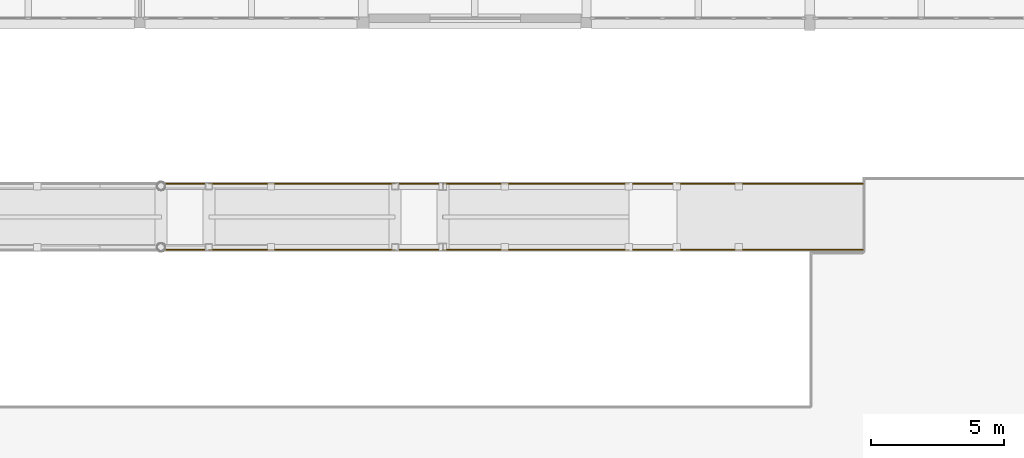
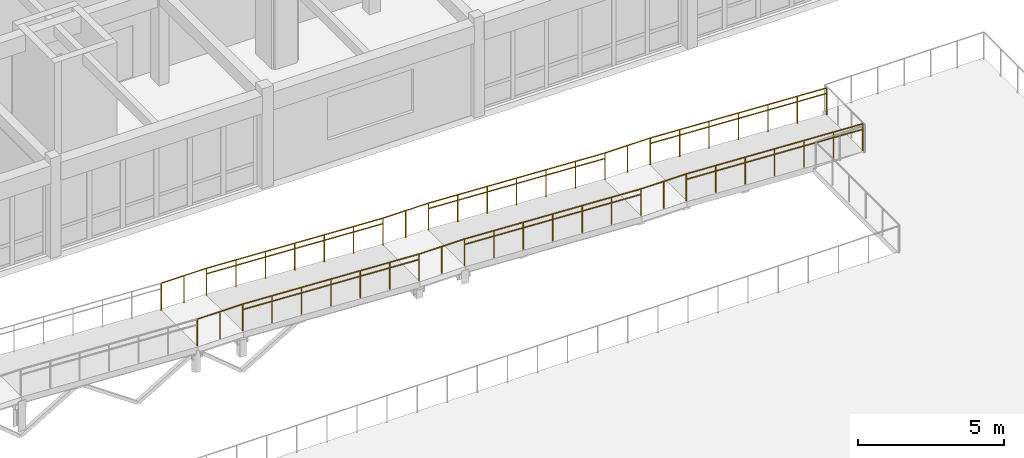
# One storey, part 88 of 89: 18 railings.
"""IFC4 building model written with IfcOpenShell, lengths in metres."""

from ifc_helpers import new_model, si_unit, direction, frame, origin, origin_2d, place, context, subcontext, project, spatial, circle, extrude, material, layer, layer_set, type_object, element, save


model = new_model("IFC4")

# Units and contexts
model_context = context("Model", 3, precision=1e-05, world=origin(), true_north=direction((0.0, 1.0)))
body_context = subcontext(model_context, "Body", "Model", "MODEL_VIEW")
ifc_project = project(units=[si_unit("LENGTHUNIT", "METRE"), si_unit("AREAUNIT", "SQUARE_METRE"), si_unit("VOLUMEUNIT", "CUBIC_METRE"), si_unit("PLANEANGLEUNIT", "RADIAN"), si_unit("MASSUNIT", "GRAM", prefix="KILO")], contexts=[model_context])

# Site, building, storey
site_placement = place(None, origin())
site = spatial("IfcSite", under=ifc_project, at=site_placement, CompositionType="ELEMENT")
building_placement = place(site_placement, origin())
building = spatial("IfcBuilding", under=site, at=building_placement, Name="Malvenik Polytechnic", CompositionType="ELEMENT")
storey_placement = place(building_placement, frame((0.0, 0.0, 13.5)))
storey = spatial("IfcBuildingStorey", under=building, at=storey_placement, Name="L03", CompositionType="ELEMENT", Elevation=13.5)

# Railings
ifc_material_1 = material(Name="Galvanised powder-coated steel and laminated glass guard 1150mm", Category="steel")
ifc_layer_1 = layer(ifc_material_1, 0.070068359375)
ifc_layer_set_1 = layer_set([ifc_layer_1], Name="Galvanised powder-coated steel and laminated glass guard 1150mm")
railing_type_1 = type_object("IfcRailingType", Name="ARC-RL-BAL-1150", PredefinedType="BALUSTRADE", material=ifc_layer_set_1)
for number, where, name in (
    (1, (121.0, 70.659912109375, 0.35009765625), "Ramp Balustrade RB-02 #1S"),
    (2, (121.0, 73.139892578125, 0.35009765625), "Ramp Balustrade RB-02 #1N"),
):
    element("IfcRailing", number, at=place(storey_placement, frame(where)), inside=storey, type_object=railing_type_1, Name=name, PredefinedType="BALUSTRADE", context=body_context, shape_type="SweptSolid", body=[
        extrude(circle(Radius=0.02392578125, at=origin_2d()), frame((0.0, 0.0, 1.1259765625), z_axis=(0.998751643845, 0.0, -0.049951515669), x_axis=(0.0, 1.0, 0.0)), (0.0, 0.0, 1.0), 7.0087890625),
        extrude(circle(Radius=0.02099609375, at=origin_2d()), origin(), (0.0, 0.0, 1.0), 1.101806640625),
        extrude(circle(Radius=0.02099609375, at=origin_2d()), frame((1.166748046875, 0.0, -0.058349609375)), (0.0, 0.0, 1.0), 1.101806640625),
        extrude(circle(Radius=0.02099609375, at=origin_2d()), frame((2.333251953125, 0.0, -0.11669921875)), (0.0, 0.0, 1.0), 1.101806640625),
        extrude(circle(Radius=0.02099609375, at=origin_2d()), frame((3.5, 0.0, -0.175048828125)), (0.0, 0.0, 1.0), 1.101806640625),
        extrude(circle(Radius=0.02099609375, at=origin_2d()), frame((4.666748046875, 0.0, -0.2333984375)), (0.0, 0.0, 1.0), 1.101806640625),
        extrude(circle(Radius=0.02099609375, at=origin_2d()), frame((5.833251953125, 0.0, -0.291748046875)), (0.0, 0.0, 1.0), 1.101806640625),
        extrude(circle(Radius=0.02099609375, at=origin_2d()), frame((7.0, 0.0, -0.35009765625)), (0.0, 0.0, 1.0), 1.101806640625),
    ])
for number, where, name in (
    (3, (119.199951171875, 70.659912109375, 0.35009765625), "Ramp Landing Balustrade RB-02 #1S"),
    (4, (119.199951171875, 73.139892578125, 0.35009765625), "Ramp Landing Balustrade RB-02 #1N"),
):
    element("IfcRailing", number, at=place(storey_placement, frame(where)), inside=storey, type_object=railing_type_1, Name=name, PredefinedType="BALUSTRADE", context=body_context, shape_type="SweptSolid", body=[
        extrude(circle(Radius=0.02392578125, at=origin_2d()), frame((0.0, 0.0, 1.1259765625), z_axis=(1.0, 0.0, 0.0), x_axis=(0.0, 1.0, 0.0)), (0.0, 0.0, 1.0), 1.800048828125),
        extrude(circle(Radius=0.02099609375, at=origin_2d()), origin(), (0.0, 0.0, 1.0), 1.101806640625),
        extrude(circle(Radius=0.02099609375, at=origin_2d()), frame((0.89990234375, 0.0, 0.0)), (0.0, 0.0, 1.0), 1.101806640625),
        extrude(circle(Radius=0.02099609375, at=origin_2d()), frame((1.800048828125, 0.0, 0.0)), (0.0, 0.0, 1.0), 1.101806640625),
    ])
for number, where, name in (
    (5, (112.199951171875, 70.659912109375, 0.699951171875), "Ramp Balustrade RB-02 #2S"),
    (6, (112.199951171875, 73.139892578125, 0.699951171875), "Ramp Balustrade RB-02 #2N"),
):
    element("IfcRailing", number, at=place(storey_placement, frame(where)), inside=storey, type_object=railing_type_1, Name=name, PredefinedType="BALUSTRADE", context=body_context, shape_type="SweptSolid", body=[
        extrude(circle(Radius=0.02392578125, at=origin_2d()), frame((0.0, 0.0, 1.1259765625), z_axis=(0.998753381067, 0.0, -0.049916768801), x_axis=(0.0, 1.0, 0.0)), (0.0, 0.0, 1.0), 7.0087890625),
        extrude(circle(Radius=0.02099609375, at=origin_2d()), origin(), (0.0, 0.0, 1.0), 1.101806640625),
        extrude(circle(Radius=0.02099609375, at=origin_2d()), frame((1.166748046875, 0.0, -0.058349609375)), (0.0, 0.0, 1.0), 1.101806640625),
        extrude(circle(Radius=0.02099609375, at=origin_2d()), frame((2.333251953125, 0.0, -0.11669921875)), (0.0, 0.0, 1.0), 1.101806640625),
        extrude(circle(Radius=0.02099609375, at=origin_2d()), frame((3.5, 0.0, -0.1748046875)), (0.0, 0.0, 1.0), 1.101806640625),
        extrude(circle(Radius=0.02099609375, at=origin_2d()), frame((4.666748046875, 0.0, -0.233154296875)), (0.0, 0.0, 1.0), 1.101806640625),
        extrude(circle(Radius=0.02099609375, at=origin_2d()), frame((5.833251953125, 0.0, -0.29150390625)), (0.0, 0.0, 1.0), 1.101806640625),
        extrude(circle(Radius=0.02099609375, at=origin_2d()), frame((7.0, 0.0, -0.349853515625)), (0.0, 0.0, 1.0), 1.101806640625),
    ])
for number, where, name in (
    (7, (110.39990234375, 70.659912109375, 0.699951171875), "Ramp Landing Balustrade RB-02 #2S"),
    (8, (110.39990234375, 73.139892578125, 0.699951171875), "Ramp Landing Balustrade RB-02 #2N"),
):
    element("IfcRailing", number, at=place(storey_placement, frame(where)), inside=storey, type_object=railing_type_1, Name=name, PredefinedType="BALUSTRADE", context=body_context, shape_type="SweptSolid", body=[
        extrude(circle(Radius=0.02392578125, at=origin_2d()), frame((0.0, 0.0, 1.1259765625), z_axis=(1.0, 0.0, 0.0), x_axis=(0.0, 1.0, 0.0)), (0.0, 0.0, 1.0), 1.800048828125),
        extrude(circle(Radius=0.02099609375, at=origin_2d()), origin(), (0.0, 0.0, 1.0), 1.101806640625),
        extrude(circle(Radius=0.02099609375, at=origin_2d()), frame((0.89990234375, 0.0, 0.0)), (0.0, 0.0, 1.0), 1.101806640625),
        extrude(circle(Radius=0.02099609375, at=origin_2d()), frame((1.800048828125, 0.0, 0.0)), (0.0, 0.0, 1.0), 1.101806640625),
    ])
for number, where, name in (
    (9, (103.39990234375, 70.659912109375, 1.050048828125), "Ramp Balustrade RB-02 #3S"),
    (10, (103.39990234375, 73.139892578125, 1.050048828125), "Ramp Balustrade RB-02 #3N"),
):
    element("IfcRailing", number, at=place(storey_placement, frame(where)), inside=storey, type_object=railing_type_1, Name=name, PredefinedType="BALUSTRADE", context=body_context, shape_type="SweptSolid", body=[
        extrude(circle(Radius=0.02392578125, at=origin_2d()), frame((0.0, 0.0, 1.1259765625), z_axis=(0.998751643845, 0.0, -0.049951515669), x_axis=(0.0, 1.0, 0.0)), (0.0, 0.0, 1.0), 7.0087890625),
        extrude(circle(Radius=0.02099609375, at=origin_2d()), origin(), (0.0, 0.0, 1.0), 1.101806640625),
        extrude(circle(Radius=0.02099609375, at=origin_2d()), frame((1.166748046875, 0.0, -0.058349609375)), (0.0, 0.0, 1.0), 1.101806640625),
        extrude(circle(Radius=0.02099609375, at=origin_2d()), frame((2.333251953125, 0.0, -0.11669921875)), (0.0, 0.0, 1.0), 1.101806640625),
        extrude(circle(Radius=0.02099609375, at=origin_2d()), frame((3.5, 0.0, -0.175048828125)), (0.0, 0.0, 1.0), 1.101806640625),
        extrude(circle(Radius=0.02099609375, at=origin_2d()), frame((4.666748046875, 0.0, -0.2333984375)), (0.0, 0.0, 1.0), 1.101806640625),
        extrude(circle(Radius=0.02099609375, at=origin_2d()), frame((5.833251953125, 0.0, -0.291748046875)), (0.0, 0.0, 1.0), 1.101806640625),
        extrude(circle(Radius=0.02099609375, at=origin_2d()), frame((7.0, 0.0, -0.35009765625)), (0.0, 0.0, 1.0), 1.101806640625),
    ])
for number, where, name in (
    (11, (101.60009765625, 70.659912109375, 1.050048828125), "Ramp Landing Balustrade RB-02 #3S"),
    (12, (101.60009765625, 73.139892578125, 1.050048828125), "Ramp Landing Balustrade RB-02 #3N"),
):
    element("IfcRailing", number, at=place(storey_placement, frame(where)), inside=storey, type_object=railing_type_1, Name=name, PredefinedType="BALUSTRADE", context=body_context, shape_type="SweptSolid", body=[
        extrude(circle(Radius=0.02392578125, at=origin_2d()), frame((0.0, 0.0, 1.1259765625), z_axis=(1.0, 0.0, 0.0), x_axis=(0.0, 1.0, 0.0)), (0.0, 0.0, 1.0), 1.7998046875),
        extrude(circle(Radius=0.02099609375, at=origin_2d()), origin(), (0.0, 0.0, 1.0), 1.101806640625),
        extrude(circle(Radius=0.02099609375, at=origin_2d()), frame((0.89990234375, 0.0, 0.0)), (0.0, 0.0, 1.0), 1.101806640625),
        extrude(circle(Radius=0.02099609375, at=origin_2d()), frame((1.7998046875, 0.0, 0.0)), (0.0, 0.0, 1.0), 1.101806640625),
    ])
ifc_material_2 = material(Name="Brushed stainless steel 1.4301 tubular handrail 50mm", Category="steel")
ifc_layer_2 = layer(ifc_material_2, 0.050048828125)
ifc_layer_set_2 = layer_set([ifc_layer_2], Name="Brushed stainless steel 1.4301 tubular handrail 50mm")
railing_type_2 = type_object("IfcRailingType", Name="ARC-RL-HR-920", PredefinedType="HANDRAIL", material=ifc_layer_set_2)
for number, where, name in (
    (13, (121.0, 70.659912109375, 0.35009765625), "Ramp Handrail RB-02 #1S"),
    (14, (121.0, 73.139892578125, 0.35009765625), "Ramp Handrail RB-02 #1N"),
):
    element("IfcRailing", number, at=place(storey_placement, frame(where)), inside=storey, type_object=railing_type_2, Name=name, PredefinedType="HANDRAIL", context=body_context, shape_type="SweptSolid", body=[
        extrude(circle(Radius=0.02392578125, at=origin_2d()), frame((0.0, 0.0, 0.89599609375), z_axis=(0.998751643845, 0.0, -0.049951515669), x_axis=(0.0, 1.0, 0.0)), (0.0, 0.0, 1.0), 7.0087890625),
        extrude(circle(Radius=0.02099609375, at=origin_2d()), origin(), (0.0, 0.0, 1.0), 0.871826171875),
        extrude(circle(Radius=0.02099609375, at=origin_2d()), frame((1.166748046875, 0.0, -0.058349609375)), (0.0, 0.0, 1.0), 0.871826171875),
        extrude(circle(Radius=0.02099609375, at=origin_2d()), frame((2.333251953125, 0.0, -0.11669921875)), (0.0, 0.0, 1.0), 0.871826171875),
        extrude(circle(Radius=0.02099609375, at=origin_2d()), frame((3.5, 0.0, -0.175048828125)), (0.0, 0.0, 1.0), 0.871826171875),
        extrude(circle(Radius=0.02099609375, at=origin_2d()), frame((4.666748046875, 0.0, -0.2333984375)), (0.0, 0.0, 1.0), 0.871826171875),
        extrude(circle(Radius=0.02099609375, at=origin_2d()), frame((5.833251953125, 0.0, -0.291748046875)), (0.0, 0.0, 1.0), 0.871826171875),
        extrude(circle(Radius=0.02099609375, at=origin_2d()), frame((7.0, 0.0, -0.35009765625)), (0.0, 0.0, 1.0), 0.871826171875),
    ])
for number, where, name in (
    (15, (112.199951171875, 70.659912109375, 0.699951171875), "Ramp Handrail RB-02 #2S"),
    (16, (112.199951171875, 73.139892578125, 0.699951171875), "Ramp Handrail RB-02 #2N"),
):
    element("IfcRailing", number, at=place(storey_placement, frame(where)), inside=storey, type_object=railing_type_2, Name=name, PredefinedType="HANDRAIL", context=body_context, shape_type="SweptSolid", body=[
        extrude(circle(Radius=0.02392578125, at=origin_2d()), frame((0.0, 0.0, 0.89599609375), z_axis=(0.998753381067, 0.0, -0.049916768801), x_axis=(0.0, 1.0, 0.0)), (0.0, 0.0, 1.0), 7.0087890625),
        extrude(circle(Radius=0.02099609375, at=origin_2d()), origin(), (0.0, 0.0, 1.0), 0.871826171875),
        extrude(circle(Radius=0.02099609375, at=origin_2d()), frame((1.166748046875, 0.0, -0.058349609375)), (0.0, 0.0, 1.0), 0.871826171875),
        extrude(circle(Radius=0.02099609375, at=origin_2d()), frame((2.333251953125, 0.0, -0.11669921875)), (0.0, 0.0, 1.0), 0.871826171875),
        extrude(circle(Radius=0.02099609375, at=origin_2d()), frame((3.5, 0.0, -0.1748046875)), (0.0, 0.0, 1.0), 0.871826171875),
        extrude(circle(Radius=0.02099609375, at=origin_2d()), frame((4.666748046875, 0.0, -0.233154296875)), (0.0, 0.0, 1.0), 0.871826171875),
        extrude(circle(Radius=0.02099609375, at=origin_2d()), frame((5.833251953125, 0.0, -0.29150390625)), (0.0, 0.0, 1.0), 0.871826171875),
        extrude(circle(Radius=0.02099609375, at=origin_2d()), frame((7.0, 0.0, -0.349853515625)), (0.0, 0.0, 1.0), 0.871826171875),
    ])
for number, where, name in (
    (17, (103.39990234375, 70.659912109375, 1.050048828125), "Ramp Handrail RB-02 #3S"),
    (18, (103.39990234375, 73.139892578125, 1.050048828125), "Ramp Handrail RB-02 #3N"),
):
    element("IfcRailing", number, at=place(storey_placement, frame(where)), inside=storey, type_object=railing_type_2, Name=name, PredefinedType="HANDRAIL", context=body_context, shape_type="SweptSolid", body=[
        extrude(circle(Radius=0.02392578125, at=origin_2d()), frame((0.0, 0.0, 0.89599609375), z_axis=(0.998751643845, 0.0, -0.049951515669), x_axis=(0.0, 1.0, 0.0)), (0.0, 0.0, 1.0), 7.0087890625),
        extrude(circle(Radius=0.02099609375, at=origin_2d()), origin(), (0.0, 0.0, 1.0), 0.871826171875),
        extrude(circle(Radius=0.02099609375, at=origin_2d()), frame((1.166748046875, 0.0, -0.058349609375)), (0.0, 0.0, 1.0), 0.871826171875),
        extrude(circle(Radius=0.02099609375, at=origin_2d()), frame((2.333251953125, 0.0, -0.11669921875)), (0.0, 0.0, 1.0), 0.871826171875),
        extrude(circle(Radius=0.02099609375, at=origin_2d()), frame((3.5, 0.0, -0.175048828125)), (0.0, 0.0, 1.0), 0.871826171875),
        extrude(circle(Radius=0.02099609375, at=origin_2d()), frame((4.666748046875, 0.0, -0.2333984375)), (0.0, 0.0, 1.0), 0.871826171875),
        extrude(circle(Radius=0.02099609375, at=origin_2d()), frame((5.833251953125, 0.0, -0.291748046875)), (0.0, 0.0, 1.0), 0.871826171875),
        extrude(circle(Radius=0.02099609375, at=origin_2d()), frame((7.0, 0.0, -0.35009765625)), (0.0, 0.0, 1.0), 0.871826171875),
    ])

save(model, "model.ifc")
